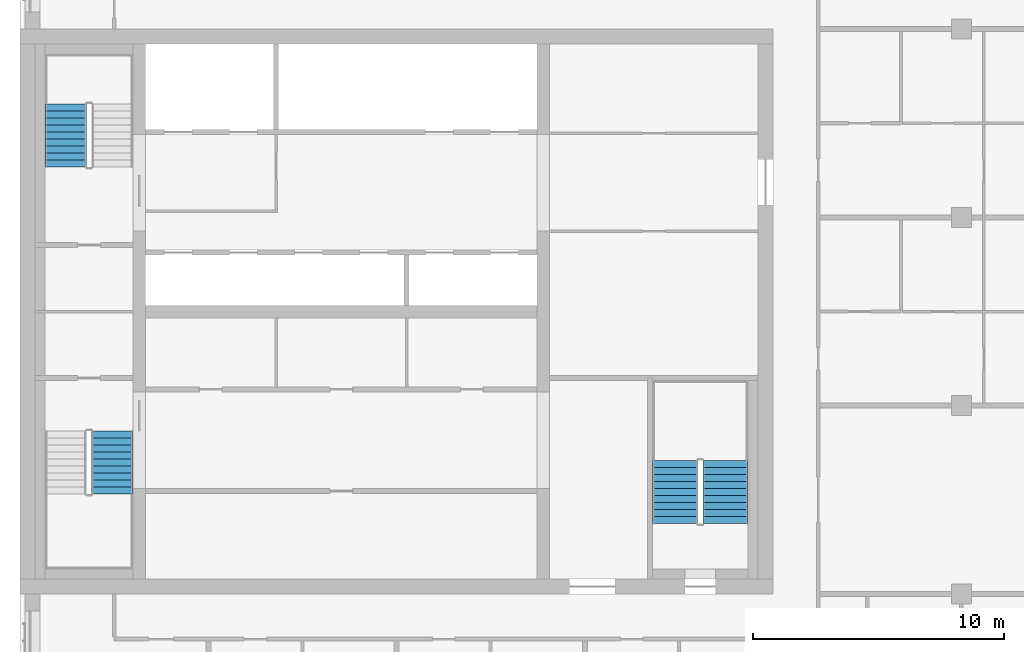
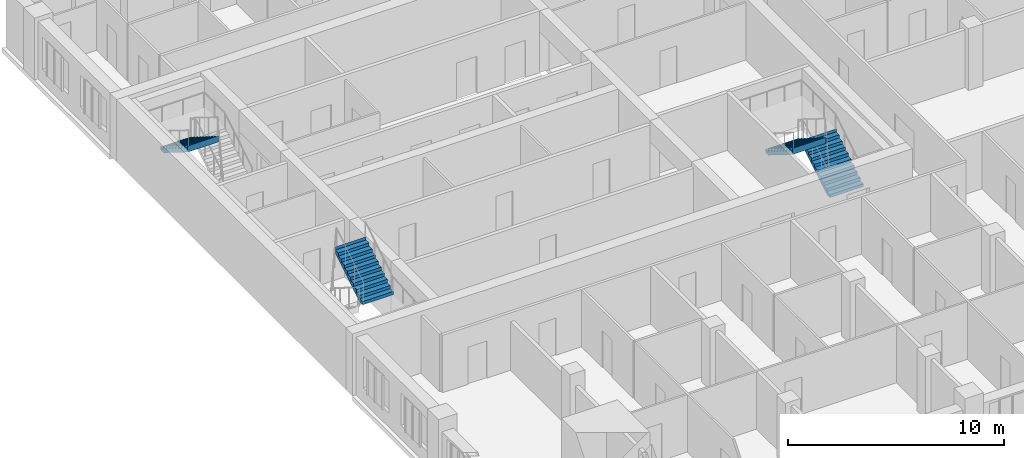
# One storey, part 9 of 11: 4 stair flights, 3 elements without a shape of their own.
"""IFC4 building model written with IfcOpenShell, lengths in metres."""

from ifc_helpers import new_model, si_unit, direction, frame, origin, place, context, subcontext, project, spatial, polyline, outline, extrude, material, type_object, element, aggregate, save


model = new_model("IFC4")

# Units and contexts
model_context = context("Model", 3, precision=1e-05, world=origin(), true_north=direction((0.0, 1.0)))
body_context = subcontext(model_context, "Body", "Model", "MODEL_VIEW")
ifc_project = project(units=[si_unit("LENGTHUNIT", "METRE"), si_unit("AREAUNIT", "SQUARE_METRE"), si_unit("VOLUMEUNIT", "CUBIC_METRE"), si_unit("PLANEANGLEUNIT", "RADIAN"), si_unit("MASSUNIT", "GRAM", prefix="KILO")], contexts=[model_context])

# Site, building, storey
site_placement = place(None, origin())
site = spatial("IfcSite", under=ifc_project, at=site_placement, CompositionType="ELEMENT")
building_placement = place(site_placement, origin())
building = spatial("IfcBuilding", under=site, at=building_placement, Name="Tamorin Gate", CompositionType="ELEMENT")
storey_placement = place(building_placement, frame((0.0, 0.0, 240.699951171875)))
storey = spatial("IfcBuildingStorey", under=building, at=storey_placement, Name="L60", CompositionType="ELEMENT", Elevation=240.699951171875)

# Stair, stair flight
ifc_material = material(Name="Concrete C40/50", Category="concrete")
stair_type = type_object("IfcStairType", Name="Exit stair", PredefinedType="HALF_TURN_STAIR", material=ifc_material)
stair_1_placement = place(storey_placement, origin())
stair_1 = element("IfcStair", 1, at=stair_1_placement, inside=storey, type_object=stair_type, Name="L60 stair ST1", PredefinedType="HALF_TURN_STAIR")
stair_flight_type = type_object("IfcStairFlightType", Name="Exit stair flight", PredefinedType="STRAIGHT", material=ifc_material)
stair_flight_1_placement = place(storey_placement, frame((33.675048828125, 63.97998046875, 1.75), z_axis=(0.0, 0.0, 1.0), x_axis=(0.0, 1.0, 0.0)))
stair_flight_1 = element("IfcStairFlight", 2, at=stair_flight_1_placement, type_object=stair_flight_type, Name="ST1 flight 2", NumberOfRisers=10, NumberOfTreads=9, PredefinedType="STRAIGHT", RiserHeight=0.175, TreadLength=0.28, context=body_context, shape_type="SweptSolid", body=[
    extrude(outline(polyline([(-0.00048828125, 0.0), (-0.00048828125, 0.001708984375), (-0.00048828125, 0.00341796875), (-0.00048828125, 0.005126953125), (-0.00048828125, 0.0068359375), (-0.00048828125, 0.008544921875), (-0.00048828125, 0.010498046875), (-0.00048828125, 0.01220703125), (-0.00048828125, 0.013916015625), (-0.00048828125, 0.015625), (-0.00048828125, 0.017333984375), (-0.00048828125, 0.01904296875), (-0.00048828125, 0.020751953125), (-0.00048828125, 0.0224609375), (-0.00048828125, 0.024169921875), (-0.00048828125, 0.02587890625), (-0.00048828125, 0.02783203125), (-0.00048828125, 0.029541015625), (-0.00048828125, 0.03125), (-0.00048828125, 0.032958984375), (-0.00048828125, 0.03466796875), (-0.00048828125, 0.036376953125), (-0.00048828125, 0.0380859375), (-0.00048828125, 0.039794921875), (-0.00048828125, 0.04150390625), (-0.00048828125, 0.043212890625), (-0.00048828125, 0.045166015625), (-0.00048828125, 0.046875), (-0.00048828125, 0.048583984375), (-0.00048828125, 0.05029296875), (-0.00048828125, 0.052001953125), (-0.00048828125, 0.0537109375), (-0.00048828125, 0.055419921875), (-0.00048828125, 0.05712890625), (-0.00048828125, 0.058837890625), (-0.00048828125, 0.060546875), (-0.00048828125, 0.062255859375), (-0.00048828125, 0.064208984375), (-0.00048828125, 0.06591796875), (-0.00048828125, 0.067626953125), (-0.00048828125, 0.0693359375), (-0.00048828125, 0.071044921875), (-0.00048828125, 0.07275390625), (-0.00048828125, 0.074462890625), (-0.00048828125, 0.076171875), (-0.00048828125, 0.077880859375), (-0.00048828125, 0.07958984375), (-0.00048828125, 0.08154296875), (-0.00048828125, 0.083251953125), (-0.00048828125, 0.0849609375), (-0.00048828125, 0.086669921875), (-0.00048828125, 0.08837890625), (-0.00048828125, 0.090087890625), (-0.00048828125, 0.091796875), (-0.00048828125, 0.093505859375), (-0.00048828125, 0.09521484375), (-0.00048828125, 0.096923828125), (-0.00048828125, 0.098876953125), (-0.00048828125, 0.1005859375), (-0.00048828125, 0.102294921875), (-0.00048828125, 0.10400390625), (-0.00048828125, 0.105712890625), (-0.00048828125, 0.107421875), (-0.00048828125, 0.109130859375), (-0.00048828125, 0.11083984375), (-0.00048828125, 0.112548828125), (-0.00048828125, 0.1142578125), (-0.00048828125, 0.1162109375), (-0.00048828125, 0.117919921875), (-0.00048828125, 0.11962890625), (-0.00048828125, 0.121337890625), (-0.00048828125, 0.123046875), (-0.00048828125, 0.124755859375), (-0.00048828125, 0.12646484375), (-0.00048828125, 0.128173828125), (-0.00048828125, 0.1298828125), (-0.00048828125, 0.131591796875), (-0.00048828125, 0.13330078125), (-0.00048828125, 0.13525390625), (-0.00048828125, 0.136962890625), (-0.00048828125, 0.138671875), (-0.00048828125, 0.140380859375), (-0.00048828125, 0.14208984375), (-0.00048828125, 0.143798828125), (-0.00048828125, 0.1455078125), (-0.00048828125, 0.147216796875), (-0.00048828125, 0.14892578125), (-0.00048828125, 0.150634765625), (-0.00048828125, 0.152587890625), (-0.00048828125, 0.154296875), (-0.00048828125, 0.156005859375), (-0.00048828125, 0.15771484375), (-0.00048828125, 0.159423828125), (-0.00048828125, 0.1611328125), (-0.00048828125, 0.162841796875), (-0.00048828125, 0.16455078125), (-0.00048828125, 0.166259765625), (-0.00048828125, 0.16796875), (-0.00048828125, 0.169921875), (-0.00048828125, 0.171630859375), (-0.00048828125, 0.17333984375), (-0.00048828125, 0.175048828125), (0.280029296875, 0.175048828125), (0.280029296875, 0.35009765625), (0.56005859375, 0.35009765625), (0.56005859375, 0.52490234375), (0.840087890625, 0.52490234375), (0.840087890625, 0.699951171875), (1.1201171875, 0.699951171875), (1.1201171875, 0.875), (1.39990234375, 0.875), (1.39990234375, 1.050048828125), (1.679931640625, 1.050048828125), (1.679931640625, 1.22509765625), (1.9599609375, 1.22509765625), (1.9599609375, 1.39990234375), (2.239990234375, 1.39990234375), (2.239990234375, 1.574951171875), (2.52001953125, 1.574951171875), (2.52001953125, 1.75), (2.5205078125, 1.75), (2.5205078125, 1.74658203125), (2.5205078125, 1.742919921875), (2.5205078125, 1.739501953125), (2.5205078125, 1.736083984375), (2.5205078125, 1.732666015625), (2.5205078125, 1.72900390625), (2.5205078125, 1.7255859375), (2.5205078125, 1.72216796875), (2.5205078125, 1.71875), (2.5205078125, 1.715087890625), (2.5205078125, 1.711669921875), (2.5205078125, 1.708251953125), (2.5205078125, 1.704833984375), (2.5205078125, 1.701171875), (2.5205078125, 1.69775390625), (2.5205078125, 1.6943359375), (2.5205078125, 1.690673828125), (2.5205078125, 1.687255859375), (2.5205078125, 1.683837890625), (2.5205078125, 1.680419921875), (2.5205078125, 1.6767578125), (2.5205078125, 1.67333984375), (2.5205078125, 1.669921875), (2.5205078125, 1.66650390625), (2.5205078125, 1.662841796875), (2.5205078125, 1.659423828125), (2.5205078125, 1.656005859375), (2.5205078125, 1.652587890625), (2.5205078125, 1.64892578125), (2.5205078125, 1.6455078125), (2.5205078125, 1.64208984375), (2.5205078125, 1.638427734375), (2.5205078125, 1.635009765625), (2.5205078125, 1.631591796875), (2.5205078125, 1.628173828125), (2.5205078125, 1.62451171875), (2.5205078125, 1.62109375), (2.5205078125, 1.61767578125), (2.5205078125, 1.6142578125), (2.5205078125, 1.610595703125), (2.5205078125, 1.607177734375), (2.5205078125, 1.603759765625), (2.5205078125, 1.600341796875), (2.5205078125, 1.5966796875), (2.5205078125, 1.59326171875), (2.5205078125, 1.58984375), (2.5205078125, 1.58642578125), (2.5205078125, 1.582763671875), (2.5205078125, 1.579345703125), (2.5205078125, 1.575927734375), (2.5205078125, 1.572265625), (2.5205078125, 1.56884765625), (2.5205078125, 1.5654296875), (2.5205078125, 1.56201171875), (2.5205078125, 1.558349609375), (2.5205078125, 1.554931640625), (2.5205078125, 1.551513671875), (2.5205078125, 1.548095703125), (2.5205078125, 1.54443359375), (2.5205078125, 1.541015625), (2.5205078125, 1.53759765625), (2.5205078125, 1.5341796875), (2.5205078125, 1.530517578125), (2.5205078125, 1.527099609375), (2.5205078125, 1.523681640625), (2.5205078125, 1.52001953125), (2.5205078125, 1.5166015625), (2.5205078125, 1.51318359375), (2.5205078125, 1.509765625), (2.5205078125, 1.506103515625), (2.5205078125, 1.502685546875), (2.5205078125, 1.499267578125), (2.5205078125, 1.495849609375), (2.5205078125, 1.4921875), (2.5205078125, 1.48876953125), (2.5205078125, 1.4853515625), (2.5205078125, 1.48193359375), (2.5205078125, 1.478271484375), (2.5205078125, 1.474853515625), (2.5205078125, 1.471435546875), (2.5205078125, 1.4677734375), (2.5205078125, 1.46435546875), (2.5205078125, 1.4609375), (2.5205078125, 1.45751953125), (2.5205078125, 1.453857421875), (2.5205078125, 1.450439453125), (2.5205078125, 1.447021484375), (2.5205078125, 1.443603515625), (2.5205078125, 1.43994140625), (2.5205078125, 1.4365234375), (2.5205078125, 1.43310546875), (2.5205078125, 1.4296875), (2.5205078125, 1.426025390625), (2.5205078125, 1.422607421875), (2.5205078125, 1.419189453125), (2.5205078125, 1.41552734375), (2.5205078125, 1.412109375), (2.5205078125, 1.40869140625), (2.5205078125, 1.4052734375), (2.5205078125, 1.401611328125), (2.5205078125, 1.398193359375), (2.52001953125, 1.398193359375), (0.28271484375, 0.0), (-0.00048828125, 0.0)])), frame((0.0, 0.824951171875, 0.0), z_axis=(0.0, -1.0, 0.0), x_axis=(1.0, 0.0, 0.0)), (0.0, 0.0, 1.0), 1.64990234375),
])
aggregate(stair_1, [stair_flight_1])

stair_2_placement = place(storey_placement, origin())
stair_2 = element("IfcStair", 3, at=stair_2_placement, inside=storey, type_object=stair_type, Name="L60 stair ST2", PredefinedType="HALF_TURN_STAIR")
stair_flight_2_placement = place(storey_placement, frame((31.824951171875, 79.52001953125, 1.75), z_axis=(0.0, 0.0, 1.0), x_axis=(0.0, -1.0, 0.0)))
stair_flight_2 = element("IfcStairFlight", 4, at=stair_flight_2_placement, type_object=stair_flight_type, Name="ST2 flight 2", NumberOfRisers=10, NumberOfTreads=9, PredefinedType="STRAIGHT", RiserHeight=0.175, TreadLength=0.28, context=body_context, shape_type="SweptSolid", body=[
    extrude(outline(polyline([(-0.00048828125, 0.0), (-0.00048828125, 0.001708984375), (-0.00048828125, 0.00341796875), (-0.00048828125, 0.005126953125), (-0.00048828125, 0.0068359375), (-0.00048828125, 0.008544921875), (-0.00048828125, 0.010498046875), (-0.00048828125, 0.01220703125), (-0.00048828125, 0.013916015625), (-0.00048828125, 0.015625), (-0.00048828125, 0.017333984375), (-0.00048828125, 0.01904296875), (-0.00048828125, 0.020751953125), (-0.00048828125, 0.0224609375), (-0.00048828125, 0.024169921875), (-0.00048828125, 0.02587890625), (-0.00048828125, 0.02783203125), (-0.00048828125, 0.029541015625), (-0.00048828125, 0.03125), (-0.00048828125, 0.032958984375), (-0.00048828125, 0.03466796875), (-0.00048828125, 0.036376953125), (-0.00048828125, 0.0380859375), (-0.00048828125, 0.039794921875), (-0.00048828125, 0.04150390625), (-0.00048828125, 0.043212890625), (-0.00048828125, 0.045166015625), (-0.00048828125, 0.046875), (-0.00048828125, 0.048583984375), (-0.00048828125, 0.05029296875), (-0.00048828125, 0.052001953125), (-0.00048828125, 0.0537109375), (-0.00048828125, 0.055419921875), (-0.00048828125, 0.05712890625), (-0.00048828125, 0.058837890625), (-0.00048828125, 0.060546875), (-0.00048828125, 0.062255859375), (-0.00048828125, 0.064208984375), (-0.00048828125, 0.06591796875), (-0.00048828125, 0.067626953125), (-0.00048828125, 0.0693359375), (-0.00048828125, 0.071044921875), (-0.00048828125, 0.07275390625), (-0.00048828125, 0.074462890625), (-0.00048828125, 0.076171875), (-0.00048828125, 0.077880859375), (-0.00048828125, 0.07958984375), (-0.00048828125, 0.08154296875), (-0.00048828125, 0.083251953125), (-0.00048828125, 0.0849609375), (-0.00048828125, 0.086669921875), (-0.00048828125, 0.08837890625), (-0.00048828125, 0.090087890625), (-0.00048828125, 0.091796875), (-0.00048828125, 0.093505859375), (-0.00048828125, 0.09521484375), (-0.00048828125, 0.096923828125), (-0.00048828125, 0.098876953125), (-0.00048828125, 0.1005859375), (-0.00048828125, 0.102294921875), (-0.00048828125, 0.10400390625), (-0.00048828125, 0.105712890625), (-0.00048828125, 0.107421875), (-0.00048828125, 0.109130859375), (-0.00048828125, 0.11083984375), (-0.00048828125, 0.112548828125), (-0.00048828125, 0.1142578125), (-0.00048828125, 0.1162109375), (-0.00048828125, 0.117919921875), (-0.00048828125, 0.11962890625), (-0.00048828125, 0.121337890625), (-0.00048828125, 0.123046875), (-0.00048828125, 0.124755859375), (-0.00048828125, 0.12646484375), (-0.00048828125, 0.128173828125), (-0.00048828125, 0.1298828125), (-0.00048828125, 0.131591796875), (-0.00048828125, 0.13330078125), (-0.00048828125, 0.13525390625), (-0.00048828125, 0.136962890625), (-0.00048828125, 0.138671875), (-0.00048828125, 0.140380859375), (-0.00048828125, 0.14208984375), (-0.00048828125, 0.143798828125), (-0.00048828125, 0.1455078125), (-0.00048828125, 0.147216796875), (-0.00048828125, 0.14892578125), (-0.00048828125, 0.150634765625), (-0.00048828125, 0.152587890625), (-0.00048828125, 0.154296875), (-0.00048828125, 0.156005859375), (-0.00048828125, 0.15771484375), (-0.00048828125, 0.159423828125), (-0.00048828125, 0.1611328125), (-0.00048828125, 0.162841796875), (-0.00048828125, 0.16455078125), (-0.00048828125, 0.166259765625), (-0.00048828125, 0.16796875), (-0.00048828125, 0.169921875), (-0.00048828125, 0.171630859375), (-0.00048828125, 0.17333984375), (-0.00048828125, 0.175048828125), (0.280029296875, 0.175048828125), (0.280029296875, 0.35009765625), (0.56005859375, 0.35009765625), (0.56005859375, 0.52490234375), (0.840087890625, 0.52490234375), (0.840087890625, 0.699951171875), (1.1201171875, 0.699951171875), (1.1201171875, 0.875), (1.39990234375, 0.875), (1.39990234375, 1.050048828125), (1.679931640625, 1.050048828125), (1.679931640625, 1.22509765625), (1.9599609375, 1.22509765625), (1.9599609375, 1.39990234375), (2.239990234375, 1.39990234375), (2.239990234375, 1.574951171875), (2.52001953125, 1.574951171875), (2.52001953125, 1.75), (2.5205078125, 1.75), (2.5205078125, 1.74658203125), (2.5205078125, 1.742919921875), (2.5205078125, 1.739501953125), (2.5205078125, 1.736083984375), (2.5205078125, 1.732666015625), (2.5205078125, 1.72900390625), (2.5205078125, 1.7255859375), (2.5205078125, 1.72216796875), (2.5205078125, 1.71875), (2.5205078125, 1.715087890625), (2.5205078125, 1.711669921875), (2.5205078125, 1.708251953125), (2.5205078125, 1.704833984375), (2.5205078125, 1.701171875), (2.5205078125, 1.69775390625), (2.5205078125, 1.6943359375), (2.5205078125, 1.690673828125), (2.5205078125, 1.687255859375), (2.5205078125, 1.683837890625), (2.5205078125, 1.680419921875), (2.5205078125, 1.6767578125), (2.5205078125, 1.67333984375), (2.5205078125, 1.669921875), (2.5205078125, 1.66650390625), (2.5205078125, 1.662841796875), (2.5205078125, 1.659423828125), (2.5205078125, 1.656005859375), (2.5205078125, 1.652587890625), (2.5205078125, 1.64892578125), (2.5205078125, 1.6455078125), (2.5205078125, 1.64208984375), (2.5205078125, 1.638427734375), (2.5205078125, 1.635009765625), (2.5205078125, 1.631591796875), (2.5205078125, 1.628173828125), (2.5205078125, 1.62451171875), (2.5205078125, 1.62109375), (2.5205078125, 1.61767578125), (2.5205078125, 1.6142578125), (2.5205078125, 1.610595703125), (2.5205078125, 1.607177734375), (2.5205078125, 1.603759765625), (2.5205078125, 1.600341796875), (2.5205078125, 1.5966796875), (2.5205078125, 1.59326171875), (2.5205078125, 1.58984375), (2.5205078125, 1.58642578125), (2.5205078125, 1.582763671875), (2.5205078125, 1.579345703125), (2.5205078125, 1.575927734375), (2.5205078125, 1.572265625), (2.5205078125, 1.56884765625), (2.5205078125, 1.5654296875), (2.5205078125, 1.56201171875), (2.5205078125, 1.558349609375), (2.5205078125, 1.554931640625), (2.5205078125, 1.551513671875), (2.5205078125, 1.548095703125), (2.5205078125, 1.54443359375), (2.5205078125, 1.541015625), (2.5205078125, 1.53759765625), (2.5205078125, 1.5341796875), (2.5205078125, 1.530517578125), (2.5205078125, 1.527099609375), (2.5205078125, 1.523681640625), (2.5205078125, 1.52001953125), (2.5205078125, 1.5166015625), (2.5205078125, 1.51318359375), (2.5205078125, 1.509765625), (2.5205078125, 1.506103515625), (2.5205078125, 1.502685546875), (2.5205078125, 1.499267578125), (2.5205078125, 1.495849609375), (2.5205078125, 1.4921875), (2.5205078125, 1.48876953125), (2.5205078125, 1.4853515625), (2.5205078125, 1.48193359375), (2.5205078125, 1.478271484375), (2.5205078125, 1.474853515625), (2.5205078125, 1.471435546875), (2.5205078125, 1.4677734375), (2.5205078125, 1.46435546875), (2.5205078125, 1.4609375), (2.5205078125, 1.45751953125), (2.5205078125, 1.453857421875), (2.5205078125, 1.450439453125), (2.5205078125, 1.447021484375), (2.5205078125, 1.443603515625), (2.5205078125, 1.43994140625), (2.5205078125, 1.4365234375), (2.5205078125, 1.43310546875), (2.5205078125, 1.4296875), (2.5205078125, 1.426025390625), (2.5205078125, 1.422607421875), (2.5205078125, 1.419189453125), (2.5205078125, 1.41552734375), (2.5205078125, 1.412109375), (2.5205078125, 1.40869140625), (2.5205078125, 1.4052734375), (2.5205078125, 1.401611328125), (2.5205078125, 1.398193359375), (2.52001953125, 1.398193359375), (0.28271484375, 0.0), (-0.00048828125, 0.0)])), frame((0.0, 0.824951171875, 0.0), z_axis=(0.0, -1.0, 0.0), x_axis=(1.0, 0.0, 0.0)), (0.0, 0.0, 1.0), 1.64990234375),
])
aggregate(stair_2, [stair_flight_2])

# Stair, stair flights
stair_3_placement = place(storey_placement, origin())
stair_3 = element("IfcStair", 5, at=stair_3_placement, inside=storey, type_object=stair_type, Name="L60 stair ST3", PredefinedType="HALF_TURN_STAIR")
stair_flight_3_placement = place(storey_placement, frame((58.10009765625, 62.800048828125, 0.0), z_axis=(0.0, 0.0, 1.0), x_axis=(0.0, 1.0, 0.0)))
stair_flight_3 = element("IfcStairFlight", 6, at=stair_flight_3_placement, type_object=stair_flight_type, Name="ST3 flight 1", NumberOfRisers=10, NumberOfTreads=9, PredefinedType="STRAIGHT", RiserHeight=0.175, TreadLength=0.28, context=body_context, shape_type="SweptSolid", body=[
    extrude(outline(polyline([(-0.00048828125, 0.0), (-0.00048828125, 0.001708984375), (-0.00048828125, 0.00341796875), (-0.00048828125, 0.005126953125), (-0.00048828125, 0.0068359375), (-0.00048828125, 0.008544921875), (-0.00048828125, 0.010498046875), (-0.00048828125, 0.01220703125), (-0.00048828125, 0.013916015625), (-0.00048828125, 0.015625), (-0.00048828125, 0.017333984375), (-0.00048828125, 0.01904296875), (-0.00048828125, 0.020751953125), (-0.00048828125, 0.0224609375), (-0.00048828125, 0.024169921875), (-0.00048828125, 0.02587890625), (-0.00048828125, 0.02783203125), (-0.00048828125, 0.029541015625), (-0.00048828125, 0.03125), (-0.00048828125, 0.032958984375), (-0.00048828125, 0.03466796875), (-0.00048828125, 0.036376953125), (-0.00048828125, 0.0380859375), (-0.00048828125, 0.039794921875), (-0.00048828125, 0.04150390625), (-0.00048828125, 0.043212890625), (-0.00048828125, 0.045166015625), (-0.00048828125, 0.046875), (-0.00048828125, 0.048583984375), (-0.00048828125, 0.05029296875), (-0.00048828125, 0.052001953125), (-0.00048828125, 0.0537109375), (-0.00048828125, 0.055419921875), (-0.00048828125, 0.05712890625), (-0.00048828125, 0.058837890625), (-0.00048828125, 0.060546875), (-0.00048828125, 0.062255859375), (-0.00048828125, 0.064208984375), (-0.00048828125, 0.06591796875), (-0.00048828125, 0.067626953125), (-0.00048828125, 0.0693359375), (-0.00048828125, 0.071044921875), (-0.00048828125, 0.07275390625), (-0.00048828125, 0.074462890625), (-0.00048828125, 0.076171875), (-0.00048828125, 0.077880859375), (-0.00048828125, 0.07958984375), (-0.00048828125, 0.08154296875), (-0.00048828125, 0.083251953125), (-0.00048828125, 0.0849609375), (-0.00048828125, 0.086669921875), (-0.00048828125, 0.08837890625), (-0.00048828125, 0.090087890625), (-0.00048828125, 0.091796875), (-0.00048828125, 0.093505859375), (-0.00048828125, 0.09521484375), (-0.00048828125, 0.096923828125), (-0.00048828125, 0.098876953125), (-0.00048828125, 0.1005859375), (-0.00048828125, 0.102294921875), (-0.00048828125, 0.10400390625), (-0.00048828125, 0.105712890625), (-0.00048828125, 0.107421875), (-0.00048828125, 0.109130859375), (-0.00048828125, 0.11083984375), (-0.00048828125, 0.112548828125), (-0.00048828125, 0.1142578125), (-0.00048828125, 0.1162109375), (-0.00048828125, 0.117919921875), (-0.00048828125, 0.11962890625), (-0.00048828125, 0.121337890625), (-0.00048828125, 0.123046875), (-0.00048828125, 0.124755859375), (-0.00048828125, 0.12646484375), (-0.00048828125, 0.128173828125), (-0.00048828125, 0.1298828125), (-0.00048828125, 0.131591796875), (-0.00048828125, 0.13330078125), (-0.00048828125, 0.13525390625), (-0.00048828125, 0.136962890625), (-0.00048828125, 0.138671875), (-0.00048828125, 0.140380859375), (-0.00048828125, 0.14208984375), (-0.00048828125, 0.143798828125), (-0.00048828125, 0.1455078125), (-0.00048828125, 0.147216796875), (-0.00048828125, 0.14892578125), (-0.00048828125, 0.150634765625), (-0.00048828125, 0.152587890625), (-0.00048828125, 0.154296875), (-0.00048828125, 0.156005859375), (-0.00048828125, 0.15771484375), (-0.00048828125, 0.159423828125), (-0.00048828125, 0.1611328125), (-0.00048828125, 0.162841796875), (-0.00048828125, 0.16455078125), (-0.00048828125, 0.166259765625), (-0.00048828125, 0.16796875), (-0.00048828125, 0.169921875), (-0.00048828125, 0.171630859375), (-0.00048828125, 0.17333984375), (-0.00048828125, 0.175048828125), (0.280029296875, 0.175048828125), (0.280029296875, 0.35009765625), (0.56005859375, 0.35009765625), (0.56005859375, 0.52490234375), (0.840087890625, 0.52490234375), (0.840087890625, 0.699951171875), (1.1201171875, 0.699951171875), (1.1201171875, 0.875), (1.39990234375, 0.875), (1.39990234375, 1.050048828125), (1.679931640625, 1.050048828125), (1.679931640625, 1.22509765625), (1.9599609375, 1.22509765625), (1.9599609375, 1.39990234375), (2.239990234375, 1.39990234375), (2.239990234375, 1.574951171875), (2.52001953125, 1.574951171875), (2.52001953125, 1.75), (2.5205078125, 1.75), (2.5205078125, 1.74658203125), (2.5205078125, 1.742919921875), (2.5205078125, 1.739501953125), (2.5205078125, 1.736083984375), (2.5205078125, 1.732666015625), (2.5205078125, 1.72900390625), (2.5205078125, 1.7255859375), (2.5205078125, 1.72216796875), (2.5205078125, 1.71875), (2.5205078125, 1.715087890625), (2.5205078125, 1.711669921875), (2.5205078125, 1.708251953125), (2.5205078125, 1.704833984375), (2.5205078125, 1.701171875), (2.5205078125, 1.69775390625), (2.5205078125, 1.6943359375), (2.5205078125, 1.690673828125), (2.5205078125, 1.687255859375), (2.5205078125, 1.683837890625), (2.5205078125, 1.680419921875), (2.5205078125, 1.6767578125), (2.5205078125, 1.67333984375), (2.5205078125, 1.669921875), (2.5205078125, 1.66650390625), (2.5205078125, 1.662841796875), (2.5205078125, 1.659423828125), (2.5205078125, 1.656005859375), (2.5205078125, 1.652587890625), (2.5205078125, 1.64892578125), (2.5205078125, 1.6455078125), (2.5205078125, 1.64208984375), (2.5205078125, 1.638427734375), (2.5205078125, 1.635009765625), (2.5205078125, 1.631591796875), (2.5205078125, 1.628173828125), (2.5205078125, 1.62451171875), (2.5205078125, 1.62109375), (2.5205078125, 1.61767578125), (2.5205078125, 1.6142578125), (2.5205078125, 1.610595703125), (2.5205078125, 1.607177734375), (2.5205078125, 1.603759765625), (2.5205078125, 1.600341796875), (2.5205078125, 1.5966796875), (2.5205078125, 1.59326171875), (2.5205078125, 1.58984375), (2.5205078125, 1.58642578125), (2.5205078125, 1.582763671875), (2.5205078125, 1.579345703125), (2.5205078125, 1.575927734375), (2.5205078125, 1.572265625), (2.5205078125, 1.56884765625), (2.5205078125, 1.5654296875), (2.5205078125, 1.56201171875), (2.5205078125, 1.558349609375), (2.5205078125, 1.554931640625), (2.5205078125, 1.551513671875), (2.5205078125, 1.548095703125), (2.5205078125, 1.54443359375), (2.5205078125, 1.541015625), (2.5205078125, 1.53759765625), (2.5205078125, 1.5341796875), (2.5205078125, 1.530517578125), (2.5205078125, 1.527099609375), (2.5205078125, 1.523681640625), (2.5205078125, 1.52001953125), (2.5205078125, 1.5166015625), (2.5205078125, 1.51318359375), (2.5205078125, 1.509765625), (2.5205078125, 1.506103515625), (2.5205078125, 1.502685546875), (2.5205078125, 1.499267578125), (2.5205078125, 1.495849609375), (2.5205078125, 1.4921875), (2.5205078125, 1.48876953125), (2.5205078125, 1.4853515625), (2.5205078125, 1.48193359375), (2.5205078125, 1.478271484375), (2.5205078125, 1.474853515625), (2.5205078125, 1.471435546875), (2.5205078125, 1.4677734375), (2.5205078125, 1.46435546875), (2.5205078125, 1.4609375), (2.5205078125, 1.45751953125), (2.5205078125, 1.453857421875), (2.5205078125, 1.450439453125), (2.5205078125, 1.447021484375), (2.5205078125, 1.443603515625), (2.5205078125, 1.43994140625), (2.5205078125, 1.4365234375), (2.5205078125, 1.43310546875), (2.5205078125, 1.4296875), (2.5205078125, 1.426025390625), (2.5205078125, 1.422607421875), (2.5205078125, 1.419189453125), (2.5205078125, 1.41552734375), (2.5205078125, 1.412109375), (2.5205078125, 1.40869140625), (2.5205078125, 1.4052734375), (2.5205078125, 1.401611328125), (2.5205078125, 1.398193359375), (2.52001953125, 1.398193359375), (0.28271484375, 0.0), (-0.00048828125, 0.0)])), frame((0.0, 0.89990234375, 0.0), z_axis=(0.0, -1.0, 0.0), x_axis=(1.0, 0.0, 0.0)), (0.0, 0.0, 1.0), 1.800048828125),
])
stair_flight_4_placement = place(storey_placement, frame((56.10009765625, 65.320068359375, 1.75), z_axis=(0.0, 0.0, 1.0), x_axis=(0.0, -1.0, 0.0)))
stair_flight_4 = element("IfcStairFlight", 7, at=stair_flight_4_placement, type_object=stair_flight_type, Name="ST3 flight 2", NumberOfRisers=10, NumberOfTreads=9, PredefinedType="STRAIGHT", RiserHeight=0.175, TreadLength=0.28, context=body_context, shape_type="SweptSolid", body=[
    extrude(outline(polyline([(-0.00048828125, 0.0), (-0.00048828125, 0.001708984375), (-0.00048828125, 0.00341796875), (-0.00048828125, 0.005126953125), (-0.00048828125, 0.0068359375), (-0.00048828125, 0.008544921875), (-0.00048828125, 0.010498046875), (-0.00048828125, 0.01220703125), (-0.00048828125, 0.013916015625), (-0.00048828125, 0.015625), (-0.00048828125, 0.017333984375), (-0.00048828125, 0.01904296875), (-0.00048828125, 0.020751953125), (-0.00048828125, 0.0224609375), (-0.00048828125, 0.024169921875), (-0.00048828125, 0.02587890625), (-0.00048828125, 0.02783203125), (-0.00048828125, 0.029541015625), (-0.00048828125, 0.03125), (-0.00048828125, 0.032958984375), (-0.00048828125, 0.03466796875), (-0.00048828125, 0.036376953125), (-0.00048828125, 0.0380859375), (-0.00048828125, 0.039794921875), (-0.00048828125, 0.04150390625), (-0.00048828125, 0.043212890625), (-0.00048828125, 0.045166015625), (-0.00048828125, 0.046875), (-0.00048828125, 0.048583984375), (-0.00048828125, 0.05029296875), (-0.00048828125, 0.052001953125), (-0.00048828125, 0.0537109375), (-0.00048828125, 0.055419921875), (-0.00048828125, 0.05712890625), (-0.00048828125, 0.058837890625), (-0.00048828125, 0.060546875), (-0.00048828125, 0.062255859375), (-0.00048828125, 0.064208984375), (-0.00048828125, 0.06591796875), (-0.00048828125, 0.067626953125), (-0.00048828125, 0.0693359375), (-0.00048828125, 0.071044921875), (-0.00048828125, 0.07275390625), (-0.00048828125, 0.074462890625), (-0.00048828125, 0.076171875), (-0.00048828125, 0.077880859375), (-0.00048828125, 0.07958984375), (-0.00048828125, 0.08154296875), (-0.00048828125, 0.083251953125), (-0.00048828125, 0.0849609375), (-0.00048828125, 0.086669921875), (-0.00048828125, 0.08837890625), (-0.00048828125, 0.090087890625), (-0.00048828125, 0.091796875), (-0.00048828125, 0.093505859375), (-0.00048828125, 0.09521484375), (-0.00048828125, 0.096923828125), (-0.00048828125, 0.098876953125), (-0.00048828125, 0.1005859375), (-0.00048828125, 0.102294921875), (-0.00048828125, 0.10400390625), (-0.00048828125, 0.105712890625), (-0.00048828125, 0.107421875), (-0.00048828125, 0.109130859375), (-0.00048828125, 0.11083984375), (-0.00048828125, 0.112548828125), (-0.00048828125, 0.1142578125), (-0.00048828125, 0.1162109375), (-0.00048828125, 0.117919921875), (-0.00048828125, 0.11962890625), (-0.00048828125, 0.121337890625), (-0.00048828125, 0.123046875), (-0.00048828125, 0.124755859375), (-0.00048828125, 0.12646484375), (-0.00048828125, 0.128173828125), (-0.00048828125, 0.1298828125), (-0.00048828125, 0.131591796875), (-0.00048828125, 0.13330078125), (-0.00048828125, 0.13525390625), (-0.00048828125, 0.136962890625), (-0.00048828125, 0.138671875), (-0.00048828125, 0.140380859375), (-0.00048828125, 0.14208984375), (-0.00048828125, 0.143798828125), (-0.00048828125, 0.1455078125), (-0.00048828125, 0.147216796875), (-0.00048828125, 0.14892578125), (-0.00048828125, 0.150634765625), (-0.00048828125, 0.152587890625), (-0.00048828125, 0.154296875), (-0.00048828125, 0.156005859375), (-0.00048828125, 0.15771484375), (-0.00048828125, 0.159423828125), (-0.00048828125, 0.1611328125), (-0.00048828125, 0.162841796875), (-0.00048828125, 0.16455078125), (-0.00048828125, 0.166259765625), (-0.00048828125, 0.16796875), (-0.00048828125, 0.169921875), (-0.00048828125, 0.171630859375), (-0.00048828125, 0.17333984375), (-0.00048828125, 0.175048828125), (0.280029296875, 0.175048828125), (0.280029296875, 0.35009765625), (0.56005859375, 0.35009765625), (0.56005859375, 0.52490234375), (0.840087890625, 0.52490234375), (0.840087890625, 0.699951171875), (1.1201171875, 0.699951171875), (1.1201171875, 0.875), (1.39990234375, 0.875), (1.39990234375, 1.050048828125), (1.679931640625, 1.050048828125), (1.679931640625, 1.22509765625), (1.9599609375, 1.22509765625), (1.9599609375, 1.39990234375), (2.239990234375, 1.39990234375), (2.239990234375, 1.574951171875), (2.52001953125, 1.574951171875), (2.52001953125, 1.75), (2.5205078125, 1.75), (2.5205078125, 1.74658203125), (2.5205078125, 1.742919921875), (2.5205078125, 1.739501953125), (2.5205078125, 1.736083984375), (2.5205078125, 1.732666015625), (2.5205078125, 1.72900390625), (2.5205078125, 1.7255859375), (2.5205078125, 1.72216796875), (2.5205078125, 1.71875), (2.5205078125, 1.715087890625), (2.5205078125, 1.711669921875), (2.5205078125, 1.708251953125), (2.5205078125, 1.704833984375), (2.5205078125, 1.701171875), (2.5205078125, 1.69775390625), (2.5205078125, 1.6943359375), (2.5205078125, 1.690673828125), (2.5205078125, 1.687255859375), (2.5205078125, 1.683837890625), (2.5205078125, 1.680419921875), (2.5205078125, 1.6767578125), (2.5205078125, 1.67333984375), (2.5205078125, 1.669921875), (2.5205078125, 1.66650390625), (2.5205078125, 1.662841796875), (2.5205078125, 1.659423828125), (2.5205078125, 1.656005859375), (2.5205078125, 1.652587890625), (2.5205078125, 1.64892578125), (2.5205078125, 1.6455078125), (2.5205078125, 1.64208984375), (2.5205078125, 1.638427734375), (2.5205078125, 1.635009765625), (2.5205078125, 1.631591796875), (2.5205078125, 1.628173828125), (2.5205078125, 1.62451171875), (2.5205078125, 1.62109375), (2.5205078125, 1.61767578125), (2.5205078125, 1.6142578125), (2.5205078125, 1.610595703125), (2.5205078125, 1.607177734375), (2.5205078125, 1.603759765625), (2.5205078125, 1.600341796875), (2.5205078125, 1.5966796875), (2.5205078125, 1.59326171875), (2.5205078125, 1.58984375), (2.5205078125, 1.58642578125), (2.5205078125, 1.582763671875), (2.5205078125, 1.579345703125), (2.5205078125, 1.575927734375), (2.5205078125, 1.572265625), (2.5205078125, 1.56884765625), (2.5205078125, 1.5654296875), (2.5205078125, 1.56201171875), (2.5205078125, 1.558349609375), (2.5205078125, 1.554931640625), (2.5205078125, 1.551513671875), (2.5205078125, 1.548095703125), (2.5205078125, 1.54443359375), (2.5205078125, 1.541015625), (2.5205078125, 1.53759765625), (2.5205078125, 1.5341796875), (2.5205078125, 1.530517578125), (2.5205078125, 1.527099609375), (2.5205078125, 1.523681640625), (2.5205078125, 1.52001953125), (2.5205078125, 1.5166015625), (2.5205078125, 1.51318359375), (2.5205078125, 1.509765625), (2.5205078125, 1.506103515625), (2.5205078125, 1.502685546875), (2.5205078125, 1.499267578125), (2.5205078125, 1.495849609375), (2.5205078125, 1.4921875), (2.5205078125, 1.48876953125), (2.5205078125, 1.4853515625), (2.5205078125, 1.48193359375), (2.5205078125, 1.478271484375), (2.5205078125, 1.474853515625), (2.5205078125, 1.471435546875), (2.5205078125, 1.4677734375), (2.5205078125, 1.46435546875), (2.5205078125, 1.4609375), (2.5205078125, 1.45751953125), (2.5205078125, 1.453857421875), (2.5205078125, 1.450439453125), (2.5205078125, 1.447021484375), (2.5205078125, 1.443603515625), (2.5205078125, 1.43994140625), (2.5205078125, 1.4365234375), (2.5205078125, 1.43310546875), (2.5205078125, 1.4296875), (2.5205078125, 1.426025390625), (2.5205078125, 1.422607421875), (2.5205078125, 1.419189453125), (2.5205078125, 1.41552734375), (2.5205078125, 1.412109375), (2.5205078125, 1.40869140625), (2.5205078125, 1.4052734375), (2.5205078125, 1.401611328125), (2.5205078125, 1.398193359375), (2.52001953125, 1.398193359375), (0.28271484375, 0.0), (-0.00048828125, 0.0)])), frame((0.0, 0.89990234375, 0.0), z_axis=(0.0, -1.0, 0.0), x_axis=(1.0, 0.0, 0.0)), (0.0, 0.0, 1.0), 1.800048828125),
])
aggregate(stair_3, [stair_flight_3, stair_flight_4])

save(model, "model.ifc")
